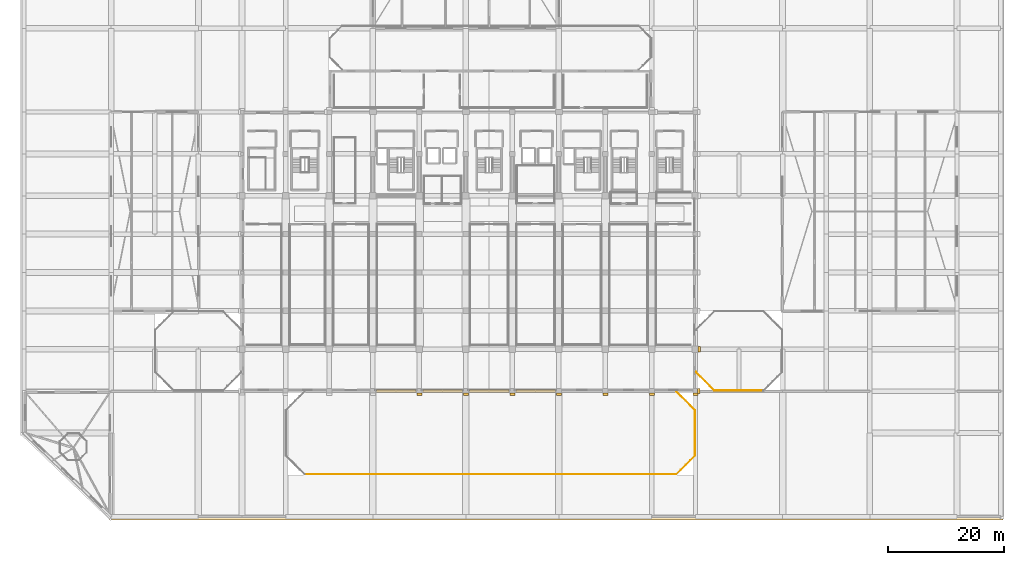
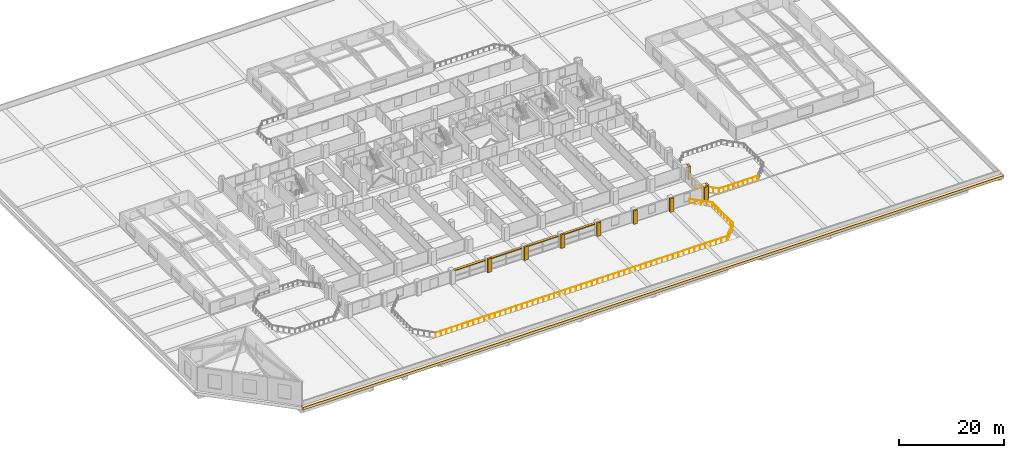
# One storey, part 46 of 49: 10 coverings, 6 railings, 4 shading devices.
"""IFC4 building model written with IfcOpenShell, lengths in metres."""

from ifc_helpers import new_model, si_unit, direction, frame, origin, origin_2d, place, context, subcontext, project, spatial, rectangle, circle, extrude, material, layer, layer_set, type_object, element, save


model = new_model("IFC4")

# Units and contexts
model_context = context("Model", 3, precision=1e-05, world=origin(), true_north=direction((0.0, 1.0)))
body_context = subcontext(model_context, "Body", "Model", "MODEL_VIEW")
ifc_project = project(units=[si_unit("LENGTHUNIT", "METRE"), si_unit("AREAUNIT", "SQUARE_METRE"), si_unit("VOLUMEUNIT", "CUBIC_METRE"), si_unit("PLANEANGLEUNIT", "RADIAN"), si_unit("MASSUNIT", "GRAM", prefix="KILO")], contexts=[model_context])

# Site, building, storey
site_placement = place(None, origin())
site = spatial("IfcSite", under=ifc_project, at=site_placement, CompositionType="ELEMENT")
building_placement = place(site_placement, origin())
building = spatial("IfcBuilding", under=site, at=building_placement, Name="Akrevak Sports Hall", CompositionType="ELEMENT")
storey_placement = place(building_placement, frame((0.0, 0.0, 24.14990234375)))
storey = spatial("IfcBuildingStorey", under=building, at=storey_placement, Name="L04", CompositionType="ELEMENT", Elevation=24.14990234375)

# Coverings
ifc_material_1 = material(Name="Limestone Ashlar", Category="stone")
ifc_layer_1 = layer(ifc_material_1, 0.6201171875, Name="Limestone Ashlar")
ifc_layer_set_1 = layer_set([ifc_layer_1], Name="Limestone Ashlar")
covering_type_1 = type_object("IfcCoveringType", Name="ARC-COV-CRN-LIM", PredefinedType="MOLDING", material=ifc_layer_set_1)
covering_placement = place(storey_placement, frame((91.5, -0.199951171875, -0.3798828125), z_axis=(0.0, 0.0, 1.0), x_axis=(1.0, 0.0, 0.0)))
element("IfcCovering", 1, at=covering_placement, inside=storey, type_object=covering_type_1, Name="Podium Classical Limestone Cornice L04-ENT-01", PredefinedType="MOLDING", context=body_context, shape_type="SweptSolid", body=[
    extrude(rectangle(XDim=153.81201171875, YDim=0.760009765625, at=origin_2d()), origin(), (0.0, 0.0, 1.0), 0.6201171875),
])
ifc_layer_2 = layer(ifc_material_1, 0.47998046875, Name="Limestone Ashlar")
ifc_layer_set_2 = layer_set([ifc_layer_2], Name="Limestone Ashlar")
covering_type_2 = type_object("IfcCoveringType", Name="ARC-COV-PIL-LIM", PredefinedType="CLADDING", material=ifc_layer_set_2)
for number, where, z_axis, x_axis, name in (
    (2, (68.0, 21.02001953125, 0.0), (0.0, 0.0, 1.0), (1.0, 0.0, 0.0), "Giant-Order Limestone Pilaster L04-01-05"),
    (3, (76.0, 21.02001953125, 0.0), (0.0, 0.0, 1.0), (1.0, 0.0, 0.0), "Giant-Order Limestone Pilaster L04-01-06"),
    (4, (84.0, 21.02001953125, 0.0), (0.0, 0.0, 1.0), (1.0, 0.0, 0.0), "Giant-Order Limestone Pilaster L04-01-07"),
    (5, (92.0, 21.02001953125, 0.0), (0.0, 0.0, 1.0), (1.0, 0.0, 0.0), "Giant-Order Limestone Pilaster L04-01-08"),
    (6, (100.0, 21.02001953125, 0.0), (0.0, 0.0, 1.0), (1.0, 0.0, 0.0), "Giant-Order Limestone Pilaster L04-01-09"),
    (7, (108.0, 21.02001953125, 0.0), (0.0, 0.0, 1.0), (1.0, 0.0, 0.0), "Giant-Order Limestone Pilaster L04-01-10"),
    (8, (115.5, 21.02001953125, 0.0), (0.0, 0.0, 1.0), (1.0, 0.0, 0.0), "Giant-Order Limestone Pilaster L04-01-11"),
    (9, (116.080078125, 21.60009765625, 0.0), (0.0, 0.0, 1.0), (0.0, 1.0, 0.0), "Giant-Order Limestone Pilaster L04-02-11"),
    (10, (116.179931640625, 28.800048828125, 0.0), (0.0, 0.0, 1.0), (0.0, 1.0, 0.0), "Giant-Order Limestone Pilaster L04-02-12"),
):
    element("IfcCovering", number, at=place(storey_placement, frame(where, z_axis=z_axis, x_axis=x_axis)), inside=storey, type_object=covering_type_2, Name=name, PredefinedType="CLADDING", context=body_context, shape_type="SweptSolid", body=[
        extrude(rectangle(XDim=0.8798828125, YDim=0.419921875, at=origin_2d()), origin(), (0.0, 0.0, 1.0), 3.139892578125),
    ])

# Railings
ifc_material_2 = material(Name="Limestone Ashlar & Bronze Cap", Category="stone")
ifc_layer_3 = layer(ifc_material_2, 0.139892578125, Name="Limestone Ashlar & Bronze Cap")
ifc_layer_set_3 = layer_set([ifc_layer_3], Name="Limestone Ashlar & Bronze Cap")
railing_type = type_object("IfcRailingType", Name="ARC-RL-BAL-1120", PredefinedType="BALUSTRADE", material=ifc_layer_set_3)
railing_1_placement = place(storey_placement, frame((118.780029296875, 21.679931640625, 0.0)))
element("IfcRailing", 11, at=railing_1_placement, inside=storey, type_object=railing_type, Name="Terrace Perimeter Balustrade L04-2.1", PredefinedType="BALUSTRADE", context=body_context, shape_type="SweptSolid", body=[
    extrude(circle(Radius=0.02392578125, at=origin_2d()), frame((0.0, 0.0, 1.09619140625), z_axis=(1.0, 0.0, 0.0), x_axis=(0.0, 1.0, 0.0)), (0.0, 0.0, 1.0), 8.43994140625),
    extrude(circle(Radius=0.02099609375, at=origin_2d()), origin(), (0.0, 0.0, 1.0), 1.072021484375),
    extrude(circle(Radius=0.02099609375, at=origin_2d()), frame((1.054931640625, 0.0, 0.0)), (0.0, 0.0, 1.0), 1.072021484375),
    extrude(circle(Radius=0.02099609375, at=origin_2d()), frame((2.10986328125, 0.0, 0.0)), (0.0, 0.0, 1.0), 1.072021484375),
    extrude(circle(Radius=0.02099609375, at=origin_2d()), frame((3.1650390625, 0.0, 0.0)), (0.0, 0.0, 1.0), 1.072021484375),
    extrude(circle(Radius=0.02099609375, at=origin_2d()), frame((4.219970703125, 0.0, 0.0)), (0.0, 0.0, 1.0), 1.072021484375),
    extrude(circle(Radius=0.02099609375, at=origin_2d()), frame((5.27490234375, 0.0, 0.0)), (0.0, 0.0, 1.0), 1.072021484375),
    extrude(circle(Radius=0.02099609375, at=origin_2d()), frame((6.330078125, 0.0, 0.0)), (0.0, 0.0, 1.0), 1.072021484375),
    extrude(circle(Radius=0.02099609375, at=origin_2d()), frame((7.385009765625, 0.0, 0.0)), (0.0, 0.0, 1.0), 1.072021484375),
    extrude(circle(Radius=0.02099609375, at=origin_2d()), frame((8.43994140625, 0.0, 0.0)), (0.0, 0.0, 1.0), 1.072021484375),
])
railing_2_placement = place(storey_placement, frame((115.580078125, 24.8798828125, 0.0)))
element("IfcRailing", 12, at=railing_2_placement, inside=storey, type_object=railing_type, Name="Terrace Perimeter Balustrade L04-2.8", PredefinedType="BALUSTRADE", context=body_context, shape_type="SweptSolid", body=[
    extrude(circle(Radius=0.02392578125, at=origin_2d()), frame((0.0, 0.0, 1.09619140625), z_axis=(0.707106781187, -0.707106781187, 0.0), x_axis=(0.707106781187, 0.707106781187, 0.0)), (0.0, 0.0, 1.0), 4.525390625),
    extrude(circle(Radius=0.02099609375, at=origin_2d()), origin(), (0.0, 0.0, 1.0), 1.072021484375),
    extrude(circle(Radius=0.02099609375, at=origin_2d()), frame((0.800048828125, -0.800048828125, 0.0)), (0.0, 0.0, 1.0), 1.072021484375),
    extrude(circle(Radius=0.02099609375, at=origin_2d()), frame((1.60009765625, -1.60009765625, 0.0)), (0.0, 0.0, 1.0), 1.072021484375),
    extrude(circle(Radius=0.02099609375, at=origin_2d()), frame((2.39990234375, -2.39990234375, 0.0)), (0.0, 0.0, 1.0), 1.072021484375),
    extrude(circle(Radius=0.02099609375, at=origin_2d()), frame((3.199951171875, -3.199951171875, 0.0)), (0.0, 0.0, 1.0), 1.072021484375),
])
railing_3_placement = place(storey_placement, frame((48.280029296875, 7.280029296875, 0.0)))
element("IfcRailing", 13, at=railing_3_placement, inside=storey, type_object=railing_type, Name="Terrace Perimeter Balustrade L04-3.1", PredefinedType="BALUSTRADE", context=body_context, shape_type="SweptSolid", body=[
    extrude(circle(Radius=0.02392578125, at=origin_2d()), frame((0.0, 0.0, 1.09619140625), z_axis=(1.0, 0.0, 0.0), x_axis=(0.0, 1.0, 0.0)), (0.0, 0.0, 1.0), 63.93994140625),
    extrude(circle(Radius=0.02099609375, at=origin_2d()), origin(), (0.0, 0.0, 1.0), 1.072021484375),
    extrude(circle(Radius=0.02099609375, at=origin_2d()), frame((1.18408203125, 0.0, 0.0)), (0.0, 0.0, 1.0), 1.072021484375),
    extrude(circle(Radius=0.02099609375, at=origin_2d()), frame((2.3681640625, 0.0, 0.0)), (0.0, 0.0, 1.0), 1.072021484375),
    extrude(circle(Radius=0.02099609375, at=origin_2d()), frame((3.55224609375, 0.0, 0.0)), (0.0, 0.0, 1.0), 1.072021484375),
    extrude(circle(Radius=0.02099609375, at=origin_2d()), frame((4.736328125, 0.0, 0.0)), (0.0, 0.0, 1.0), 1.072021484375),
    extrude(circle(Radius=0.02099609375, at=origin_2d()), frame((5.92041015625, 0.0, 0.0)), (0.0, 0.0, 1.0), 1.072021484375),
    extrude(circle(Radius=0.02099609375, at=origin_2d()), frame((7.1044921875, 0.0, 0.0)), (0.0, 0.0, 1.0), 1.072021484375),
    extrude(circle(Radius=0.02099609375, at=origin_2d()), frame((8.28857421875, 0.0, 0.0)), (0.0, 0.0, 1.0), 1.072021484375),
    extrude(circle(Radius=0.02099609375, at=origin_2d()), frame((9.47265625, 0.0, 0.0)), (0.0, 0.0, 1.0), 1.072021484375),
    extrude(circle(Radius=0.02099609375, at=origin_2d()), frame((10.65673828125, 0.0, 0.0)), (0.0, 0.0, 1.0), 1.072021484375),
    extrude(circle(Radius=0.02099609375, at=origin_2d()), frame((11.8408203125, 0.0, 0.0)), (0.0, 0.0, 1.0), 1.072021484375),
    extrude(circle(Radius=0.02099609375, at=origin_2d()), frame((13.02490234375, 0.0, 0.0)), (0.0, 0.0, 1.0), 1.072021484375),
    extrude(circle(Radius=0.02099609375, at=origin_2d()), frame((14.208984375, 0.0, 0.0)), (0.0, 0.0, 1.0), 1.072021484375),
    extrude(circle(Radius=0.02099609375, at=origin_2d()), frame((15.39306640625, 0.0, 0.0)), (0.0, 0.0, 1.0), 1.072021484375),
    extrude(circle(Radius=0.02099609375, at=origin_2d()), frame((16.576904296875, 0.0, 0.0)), (0.0, 0.0, 1.0), 1.072021484375),
    extrude(circle(Radius=0.02099609375, at=origin_2d()), frame((17.760986328125, 0.0, 0.0)), (0.0, 0.0, 1.0), 1.072021484375),
    extrude(circle(Radius=0.02099609375, at=origin_2d()), frame((18.945068359375, 0.0, 0.0)), (0.0, 0.0, 1.0), 1.072021484375),
    extrude(circle(Radius=0.02099609375, at=origin_2d()), frame((20.129150390625, 0.0, 0.0)), (0.0, 0.0, 1.0), 1.072021484375),
    extrude(circle(Radius=0.02099609375, at=origin_2d()), frame((21.313232421875, 0.0, 0.0)), (0.0, 0.0, 1.0), 1.072021484375),
    extrude(circle(Radius=0.02099609375, at=origin_2d()), frame((22.497314453125, 0.0, 0.0)), (0.0, 0.0, 1.0), 1.072021484375),
    extrude(circle(Radius=0.02099609375, at=origin_2d()), frame((23.681396484375, 0.0, 0.0)), (0.0, 0.0, 1.0), 1.072021484375),
    extrude(circle(Radius=0.02099609375, at=origin_2d()), frame((24.865478515625, 0.0, 0.0)), (0.0, 0.0, 1.0), 1.072021484375),
    extrude(circle(Radius=0.02099609375, at=origin_2d()), frame((26.049560546875, 0.0, 0.0)), (0.0, 0.0, 1.0), 1.072021484375),
    extrude(circle(Radius=0.02099609375, at=origin_2d()), frame((27.233642578125, 0.0, 0.0)), (0.0, 0.0, 1.0), 1.072021484375),
    extrude(circle(Radius=0.02099609375, at=origin_2d()), frame((28.417724609375, 0.0, 0.0)), (0.0, 0.0, 1.0), 1.072021484375),
    extrude(circle(Radius=0.02099609375, at=origin_2d()), frame((29.601806640625, 0.0, 0.0)), (0.0, 0.0, 1.0), 1.072021484375),
    extrude(circle(Radius=0.02099609375, at=origin_2d()), frame((30.785888671875, 0.0, 0.0)), (0.0, 0.0, 1.0), 1.072021484375),
    extrude(circle(Radius=0.02099609375, at=origin_2d()), frame((31.969970703125, 0.0, 0.0)), (0.0, 0.0, 1.0), 1.072021484375),
    extrude(circle(Radius=0.02099609375, at=origin_2d()), frame((33.154052734375, 0.0, 0.0)), (0.0, 0.0, 1.0), 1.072021484375),
    extrude(circle(Radius=0.02099609375, at=origin_2d()), frame((34.338134765625, 0.0, 0.0)), (0.0, 0.0, 1.0), 1.072021484375),
    extrude(circle(Radius=0.02099609375, at=origin_2d()), frame((35.522216796875, 0.0, 0.0)), (0.0, 0.0, 1.0), 1.072021484375),
    extrude(circle(Radius=0.02099609375, at=origin_2d()), frame((36.706298828125, 0.0, 0.0)), (0.0, 0.0, 1.0), 1.072021484375),
    extrude(circle(Radius=0.02099609375, at=origin_2d()), frame((37.890380859375, 0.0, 0.0)), (0.0, 0.0, 1.0), 1.072021484375),
    extrude(circle(Radius=0.02099609375, at=origin_2d()), frame((39.074462890625, 0.0, 0.0)), (0.0, 0.0, 1.0), 1.072021484375),
    extrude(circle(Radius=0.02099609375, at=origin_2d()), frame((40.258544921875, 0.0, 0.0)), (0.0, 0.0, 1.0), 1.072021484375),
    extrude(circle(Radius=0.02099609375, at=origin_2d()), frame((41.442626953125, 0.0, 0.0)), (0.0, 0.0, 1.0), 1.072021484375),
    extrude(circle(Radius=0.02099609375, at=origin_2d()), frame((42.626708984375, 0.0, 0.0)), (0.0, 0.0, 1.0), 1.072021484375),
    extrude(circle(Radius=0.02099609375, at=origin_2d()), frame((43.810791015625, 0.0, 0.0)), (0.0, 0.0, 1.0), 1.072021484375),
    extrude(circle(Radius=0.02099609375, at=origin_2d()), frame((44.994873046875, 0.0, 0.0)), (0.0, 0.0, 1.0), 1.072021484375),
    extrude(circle(Radius=0.02099609375, at=origin_2d()), frame((46.178955078125, 0.0, 0.0)), (0.0, 0.0, 1.0), 1.072021484375),
    extrude(circle(Radius=0.02099609375, at=origin_2d()), frame((47.363037109375, 0.0, 0.0)), (0.0, 0.0, 1.0), 1.072021484375),
    extrude(circle(Radius=0.02099609375, at=origin_2d()), frame((48.546875, 0.0, 0.0)), (0.0, 0.0, 1.0), 1.072021484375),
    extrude(circle(Radius=0.02099609375, at=origin_2d()), frame((49.73095703125, 0.0, 0.0)), (0.0, 0.0, 1.0), 1.072021484375),
    extrude(circle(Radius=0.02099609375, at=origin_2d()), frame((50.9150390625, 0.0, 0.0)), (0.0, 0.0, 1.0), 1.072021484375),
    extrude(circle(Radius=0.02099609375, at=origin_2d()), frame((52.09912109375, 0.0, 0.0)), (0.0, 0.0, 1.0), 1.072021484375),
    extrude(circle(Radius=0.02099609375, at=origin_2d()), frame((53.283203125, 0.0, 0.0)), (0.0, 0.0, 1.0), 1.072021484375),
    extrude(circle(Radius=0.02099609375, at=origin_2d()), frame((54.46728515625, 0.0, 0.0)), (0.0, 0.0, 1.0), 1.072021484375),
    extrude(circle(Radius=0.02099609375, at=origin_2d()), frame((55.6513671875, 0.0, 0.0)), (0.0, 0.0, 1.0), 1.072021484375),
    extrude(circle(Radius=0.02099609375, at=origin_2d()), frame((56.83544921875, 0.0, 0.0)), (0.0, 0.0, 1.0), 1.072021484375),
    extrude(circle(Radius=0.02099609375, at=origin_2d()), frame((58.01953125, 0.0, 0.0)), (0.0, 0.0, 1.0), 1.072021484375),
    extrude(circle(Radius=0.02099609375, at=origin_2d()), frame((59.20361328125, 0.0, 0.0)), (0.0, 0.0, 1.0), 1.072021484375),
    extrude(circle(Radius=0.02099609375, at=origin_2d()), frame((60.3876953125, 0.0, 0.0)), (0.0, 0.0, 1.0), 1.072021484375),
    extrude(circle(Radius=0.02099609375, at=origin_2d()), frame((61.57177734375, 0.0, 0.0)), (0.0, 0.0, 1.0), 1.072021484375),
    extrude(circle(Radius=0.02099609375, at=origin_2d()), frame((62.755859375, 0.0, 0.0)), (0.0, 0.0, 1.0), 1.072021484375),
    extrude(circle(Radius=0.02099609375, at=origin_2d()), frame((63.93994140625, 0.0, 0.0)), (0.0, 0.0, 1.0), 1.072021484375),
])
railing_4_placement = place(storey_placement, frame((112.219970703125, 7.280029296875, 0.0)))
element("IfcRailing", 14, at=railing_4_placement, inside=storey, type_object=railing_type, Name="Terrace Perimeter Balustrade L04-3.2", PredefinedType="BALUSTRADE", context=body_context, shape_type="SweptSolid", body=[
    extrude(circle(Radius=0.02392578125, at=origin_2d()), frame((0.0, 0.0, 1.09619140625), z_axis=(0.707106781187, 0.707106781187, 0.0), x_axis=(-0.707106781187, 0.707106781187, 0.0)), (0.0, 0.0, 1.0), 4.525390625),
    extrude(circle(Radius=0.02099609375, at=origin_2d()), origin(), (0.0, 0.0, 1.0), 1.072021484375),
    extrude(circle(Radius=0.02099609375, at=origin_2d()), frame((0.800048828125, 0.800048828125, 0.0)), (0.0, 0.0, 1.0), 1.072021484375),
    extrude(circle(Radius=0.02099609375, at=origin_2d()), frame((1.60009765625, 1.60009765625, 0.0)), (0.0, 0.0, 1.0), 1.072021484375),
    extrude(circle(Radius=0.02099609375, at=origin_2d()), frame((2.39990234375, 2.39990234375, 0.0)), (0.0, 0.0, 1.0), 1.072021484375),
    extrude(circle(Radius=0.02099609375, at=origin_2d()), frame((3.199951171875, 3.199951171875, 0.0)), (0.0, 0.0, 1.0), 1.072021484375),
])
railing_5_placement = place(storey_placement, frame((115.419921875, 10.47998046875, 0.0)))
element("IfcRailing", 15, at=railing_5_placement, inside=storey, type_object=railing_type, Name="Terrace Perimeter Balustrade L04-3.3", PredefinedType="BALUSTRADE", context=body_context, shape_type="SweptSolid", body=[
    extrude(circle(Radius=0.02392578125, at=origin_2d()), frame((0.0, 0.0, 1.09619140625), z_axis=(0.0, 1.0, 0.0), x_axis=(-1.0, 0.0, 0.0)), (0.0, 0.0, 1.0), 7.840087890625),
    extrude(circle(Radius=0.02099609375, at=origin_2d()), origin(), (0.0, 0.0, 1.0), 1.072021484375),
    extrude(circle(Radius=0.02099609375, at=origin_2d()), frame((0.0, 1.1201171875, 0.0)), (0.0, 0.0, 1.0), 1.072021484375),
    extrude(circle(Radius=0.02099609375, at=origin_2d()), frame((0.0, 2.239990234375, 0.0)), (0.0, 0.0, 1.0), 1.072021484375),
    extrude(circle(Radius=0.02099609375, at=origin_2d()), frame((0.0, 3.360107421875, 0.0)), (0.0, 0.0, 1.0), 1.072021484375),
    extrude(circle(Radius=0.02099609375, at=origin_2d()), frame((0.0, 4.47998046875, 0.0)), (0.0, 0.0, 1.0), 1.072021484375),
    extrude(circle(Radius=0.02099609375, at=origin_2d()), frame((0.0, 5.60009765625, 0.0)), (0.0, 0.0, 1.0), 1.072021484375),
    extrude(circle(Radius=0.02099609375, at=origin_2d()), frame((0.0, 6.719970703125, 0.0)), (0.0, 0.0, 1.0), 1.072021484375),
    extrude(circle(Radius=0.02099609375, at=origin_2d()), frame((0.0, 7.840087890625, 0.0)), (0.0, 0.0, 1.0), 1.072021484375),
])
railing_6_placement = place(storey_placement, frame((115.419921875, 18.320068359375, 0.0)))
element("IfcRailing", 16, at=railing_6_placement, inside=storey, type_object=railing_type, Name="Terrace Perimeter Balustrade L04-3.4", PredefinedType="BALUSTRADE", context=body_context, shape_type="SweptSolid", body=[
    extrude(circle(Radius=0.02392578125, at=origin_2d()), frame((0.0, 0.0, 1.09619140625), z_axis=(-0.707106781187, 0.707106781187, 0.0), x_axis=(-0.707106781187, -0.707106781187, 0.0)), (0.0, 0.0, 1.0), 4.525390625),
    extrude(circle(Radius=0.02099609375, at=origin_2d()), origin(), (0.0, 0.0, 1.0), 1.072021484375),
    extrude(circle(Radius=0.02099609375, at=origin_2d()), frame((-0.800048828125, 0.800048828125, 0.0)), (0.0, 0.0, 1.0), 1.072021484375),
    extrude(circle(Radius=0.02099609375, at=origin_2d()), frame((-1.60009765625, 1.60009765625, 0.0)), (0.0, 0.0, 1.0), 1.072021484375),
    extrude(circle(Radius=0.02099609375, at=origin_2d()), frame((-2.39990234375, 2.39990234375, 0.0)), (0.0, 0.0, 1.0), 1.072021484375),
    extrude(circle(Radius=0.02099609375, at=origin_2d()), frame((-3.199951171875, 3.199951171875, 0.0)), (0.0, 0.0, 1.0), 1.072021484375),
])

# Shading devices
ifc_material_3 = material(Name="Anodized Bronze Aluminium", Category="aluminium")
shading_device_type = type_object("IfcShadingDeviceType", Name="ARC-SHD-BRZ-300", PredefinedType="JALOUSIE", material=ifc_material_3)
for number, where, z_axis, x_axis, name in (
    (17, (64.0, 21.639892578125, 2.490234375), (0.0, 0.0, 1.0), (1.0, 0.0, 0.0), "Tower Bronze Louvre SH-07"),
    (18, (72.0, 21.639892578125, 2.490234375), (0.0, 0.0, 1.0), (1.0, 0.0, 0.0), "Tower Bronze Louvre SH-08"),
    (19, (80.0, 21.639892578125, 2.490234375), (0.0, 0.0, 1.0), (1.0, 0.0, 0.0), "Tower Bronze Louvre SH-09"),
    (20, (88.0, 21.639892578125, 2.490234375), (0.0, 0.0, 1.0), (1.0, 0.0, 0.0), "Tower Bronze Louvre SH-10"),
):
    element("IfcShadingDevice", number, at=place(storey_placement, frame(where, z_axis=z_axis, x_axis=x_axis)), inside=storey, type_object=shading_device_type, Name=name, PredefinedType="JALOUSIE", context=body_context, shape_type="SweptSolid", body=[
        extrude(rectangle(XDim=6.81591796875, YDim=0.5400390625, at=origin_2d()), origin(), (0.0, 0.0, 1.0), 0.179931640625),
    ])

save(model, "model.ifc")
